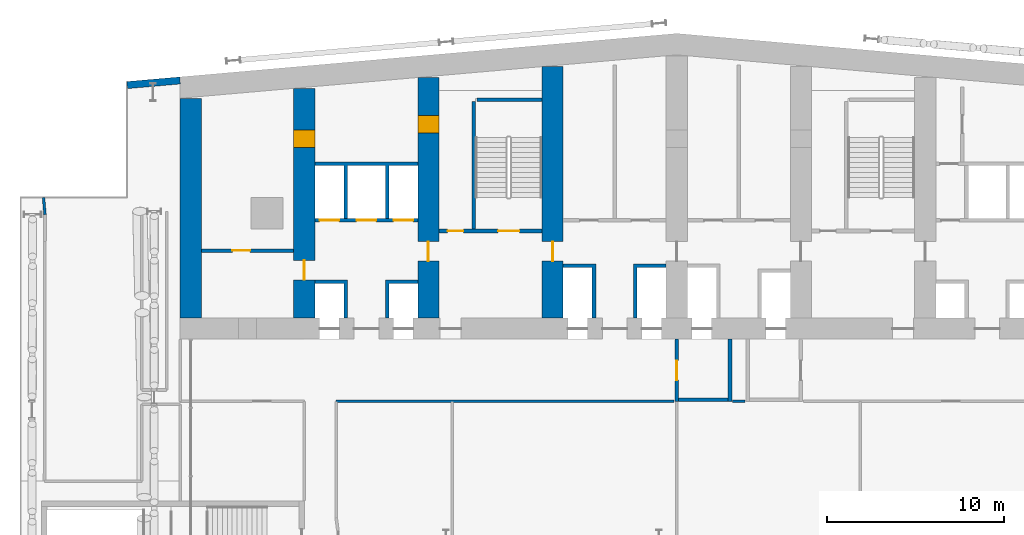
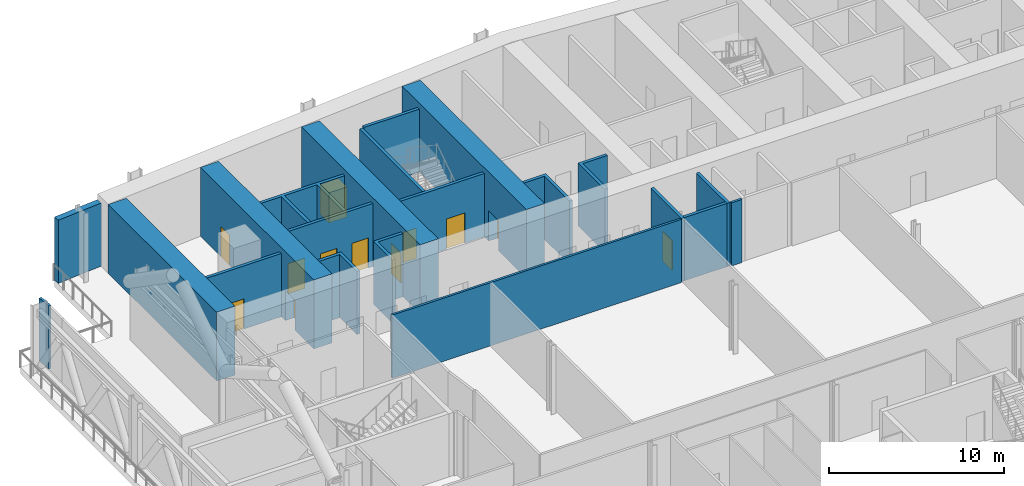
# One storey, part 19 of 39: 21 walls, 12 doors, 12 openings.
"""IFC4 building model written with IfcOpenShell, lengths in metres."""

import ifcopenshell
import ifcopenshell.guid

model = None  # the IFC model being written
_history = None  # IfcOwnerHistory: only IFC2X3 demands one
_inside = {}  # id of a spatial element -> (the spatial element, [elements in it])
_under = {}  # id of a project, library or spatial element -> (it, [spatial elements below it])
_declared = {}  # id of a project -> (the project, [libraries it declares])
_typed = {}  # id of a type object -> (the type object, [elements of that type])
_made_of = {}  # id of a material, layer set ... -> (it, [elements and type objects made of it])


def new_model(schema):
    """Start an empty IFC model of exactly this schema.

    Asked for "IFC4X3", IfcOpenShell would pick the latest addendum, in which some entities
    have other attributes; the version numbers below select the first issue.
    IFC2X3 requires an IfcOwnerHistory on every rooted entity: one is made here for all.
    """
    global model, _history
    if schema == "IFC4X3":
        model = ifcopenshell.file(schema_version=(4, 3, 0, 0))
    else:
        model = ifcopenshell.file(schema=schema)
    _inside.clear()
    _under.clear()
    _declared.clear()
    _typed.clear()
    _made_of.clear()
    _history = None
    if model.schema == "IFC2X3":
        org = make("IfcOrganization", Name="unknown")
        user = make(
            "IfcPersonAndOrganization",
            ThePerson=make("IfcPerson", FamilyName="unknown"),
            TheOrganization=org,
        )
        app = make(
            "IfcApplication",
            ApplicationDeveloper=org,
            Version="unknown",
            ApplicationFullName="unknown",
            ApplicationIdentifier="unknown",
        )
        _history = make(
            "IfcOwnerHistory",
            OwningUser=user,
            OwningApplication=app,
            ChangeAction="ADDED",
            CreationDate=0,
        )
    return model


def make(cls, **values):
    """One entity of the class cls with the attributes given. An attribute that is None is left unset."""
    return model.create_entity(
        cls, **{name: value for name, value in values.items() if value is not None}
    )


def rooted(cls, **values):
    """An entity with a GlobalId (a new one), such as an element, a storey or a relation."""
    return make(cls, GlobalId=ifcopenshell.guid.new(), OwnerHistory=_history, **values)


def si_unit(unit_type, name, prefix=None):
    """IfcSIUnit, for example si_unit("LENGTHUNIT", "METRE", prefix="MILLI")."""
    return make("IfcSIUnit", UnitType=unit_type, Prefix=prefix, Name=name)


def assignment(units):
    """IfcUnitAssignment: the units of a project."""
    return None if units is None else make("IfcUnitAssignment", Units=units)


def point(xyz):
    """IfcCartesianPoint."""
    return None if xyz is None else make("IfcCartesianPoint", Coordinates=xyz)


def direction(xyz):
    """IfcDirection."""
    return None if xyz is None else make("IfcDirection", DirectionRatios=xyz)


def frame(location, z_axis=None, x_axis=None):
    """IfcAxis2Placement3D, a coordinate frame: its origin and axes. An axis left out is left unset."""
    return make(
        "IfcAxis2Placement3D",
        Location=point(location),
        Axis=direction(z_axis),
        RefDirection=direction(x_axis),
    )


def frame_2d(location, x_axis=None):
    """IfcAxis2Placement2D, a coordinate frame in the plane: its origin and x axis."""
    return make(
        "IfcAxis2Placement2D", Location=point(location), RefDirection=direction(x_axis)
    )


def origin():
    """The frame at (0, 0, 0) with its axes left unset."""
    return frame((0.0, 0.0, 0.0))


def place(relative_to, where):
    """IfcLocalPlacement: puts the frame where relative to a parent placement (None: the world)."""
    return make(
        "IfcLocalPlacement", PlacementRelTo=relative_to, RelativePlacement=where
    )


def context(
    kind, dimensions, precision=None, world=None, true_north=None, identifier=None
):
    """IfcGeometricRepresentationContext, for example the 3D "Model" context."""
    return make(
        "IfcGeometricRepresentationContext",
        ContextIdentifier=identifier,
        ContextType=kind,
        CoordinateSpaceDimension=dimensions,
        Precision=precision,
        WorldCoordinateSystem=world,
        TrueNorth=true_north,
    )


def subcontext(parent, identifier, kind, view, scale=None):
    """IfcGeometricRepresentationSubContext, for example "Body" below "Model"."""
    return make(
        "IfcGeometricRepresentationSubContext",
        ContextIdentifier=identifier,
        ContextType=kind,
        ParentContext=parent,
        TargetScale=scale,
        TargetView=view,
    )


def project(units=None, contexts=None):
    """IfcProject with its units and contexts."""
    return rooted(
        "IfcProject",
        Name="project",
        RepresentationContexts=contexts,
        UnitsInContext=assignment(units),
    )


def spatial(cls, under=None, at=None, **own):
    """A site, building, storey or space (cls), placed at a placement, below another one or the project."""
    s = rooted(cls, ObjectPlacement=at, **own)
    if under is not None:
        _under.setdefault(under.id(), (under, []))[1].append(s)
    return s


def polyline(points):
    """IfcPolyline through the points."""
    return make("IfcPolyline", Points=[point(p) for p in points])


def profile(cls, at=None, kind="AREA", **sizes):
    """A parametric profile (cls). Its sizes go by their IFC names, for example OverallWidth=200.0."""
    return make(cls, ProfileType=kind, Position=at, **sizes)


def rectangle(**sizes):
    """IfcRectangleProfileDef."""
    return profile("IfcRectangleProfileDef", **sizes)


def outline(outer, holes=None, kind="AREA"):
    """IfcArbitraryClosedProfileDef: a profile drawn as a closed curve; with holes, ...WithVoids."""
    if holes is None:
        return make("IfcArbitraryClosedProfileDef", ProfileType=kind, OuterCurve=outer)
    return make(
        "IfcArbitraryProfileDefWithVoids",
        ProfileType=kind,
        OuterCurve=outer,
        InnerCurves=holes,
    )


def extrude(swept, where, along, depth):
    """IfcExtrudedAreaSolid: the profile swept, set in the frame where, extruded along a direction by depth."""
    return make(
        "IfcExtrudedAreaSolid",
        SweptArea=swept,
        Position=where,
        ExtrudedDirection=direction(along),
        Depth=depth,
    )


def shape(context_of_items, identifier, shape_type, items):
    """IfcShapeRepresentation: the items that make up one representation, for example the "Body"."""
    return make(
        "IfcShapeRepresentation",
        ContextOfItems=context_of_items,
        RepresentationIdentifier=identifier,
        RepresentationType=shape_type,
        Items=items,
    )


def material(Name=None, Category=None):
    """IfcMaterial."""
    return make("IfcMaterial", Name=Name, Category=Category)


def layer(
    of_material, thickness, ventilated=None, Name=None, Category=None, Priority=None
):
    """IfcMaterialLayer: one layer of a wall or slab, of a material (None: an air gap)."""
    return make(
        "IfcMaterialLayer",
        Material=of_material,
        LayerThickness=thickness,
        IsVentilated=ventilated,
        Name=Name,
        Category=Category,
        Priority=Priority,
    )


def layer_set(layers, Name=None):
    """IfcMaterialLayerSet."""
    return make("IfcMaterialLayerSet", MaterialLayers=layers, LayerSetName=Name)


def made_of(thing, what):
    """Note that an element or type object is made of a material, layer set ...; save() writes the relation."""
    if what is not None:
        _made_of.setdefault(what.id(), (what, []))[1].append(thing)
    return thing


def type_object(cls, material=None, **own):
    """A type object (cls), such as IfcWallType, which elements share."""
    return made_of(rooted(cls, **own), material)


def element(
    cls,
    number,
    at=None,
    inside=None,
    cuts=None,
    type_object=None,
    material=None,
    context=None,
    identifier="Body",
    shape_type=None,
    held_by="IfcProductDefinitionShape",
    body=None,
    shapes=None,
    **own,
):
    """One element of the class cls, such as IfcWall. Its Tag is "e" and its number.

    at: its placement. inside: the storey or other place that contains it. cuts: it is an
    opening in that element (IfcRelVoidsElement). A single representation is given by context,
    identifier, shape_type and body (its items); several are given by shapes. held_by: the class
    of the entity that holds the representations. save() writes the other relations.
    """
    e = rooted(cls, Tag="e%d" % number, ObjectPlacement=at, **own)
    if body is not None:
        shapes = [shape(context, identifier, shape_type, body)]
    if shapes is not None:
        e.Representation = make(held_by, Representations=shapes)
    if inside is not None:
        _inside.setdefault(inside.id(), (inside, []))[1].append(e)
    if cuts is not None:
        rooted(
            "IfcRelVoidsElement", RelatingBuildingElement=cuts, RelatedOpeningElement=e
        )
    if type_object is not None:
        _typed.setdefault(type_object.id(), (type_object, []))[1].append(e)
    return made_of(e, material)


def fill(opening, filler):
    """IfcRelFillsElement: the door or window that sits in an opening."""
    return rooted(
        "IfcRelFillsElement",
        RelatingOpeningElement=opening,
        RelatedBuildingElement=filler,
    )


def aggregate(whole, parts):
    """IfcRelAggregates: a whole, such as a stair, and the parts it consists of."""
    return rooted("IfcRelAggregates", RelatingObject=whole, RelatedObjects=parts)


def save(model, path):
    """Write the relations noted so far, then the file.

    IfcRelAggregates (storeys below a building ...), IfcRelContainedInSpatialStructure (elements
    in a storey), IfcRelDefinesByType, IfcRelAssociatesMaterial and IfcRelDeclares: one each for
    every whole, place, type object, material and project.
    """
    for whole, parts in _under.values():
        aggregate(whole, parts)
    for where, things in _inside.values():
        rooted(
            "IfcRelContainedInSpatialStructure",
            RelatedElements=things,
            RelatingStructure=where,
        )
    for kind, things in _typed.values():
        rooted("IfcRelDefinesByType", RelatedObjects=things, RelatingType=kind)
    for what, things in _made_of.values():
        rooted("IfcRelAssociatesMaterial", RelatedObjects=things, RelatingMaterial=what)
    for by, libraries in _declared.values():
        rooted("IfcRelDeclares", RelatingContext=by, RelatedDefinitions=libraries)
    model.write(path)


model = new_model("IFC4")

# Units and contexts
model_context = context("Model", 3, precision=1e-05, world=origin(), true_north=direction((0.0, 1.0)))
body_context = subcontext(model_context, "Body", "Model", "MODEL_VIEW")
ifc_project = project(units=[si_unit("LENGTHUNIT", "METRE"), si_unit("AREAUNIT", "SQUARE_METRE"), si_unit("VOLUMEUNIT", "CUBIC_METRE"), si_unit("PLANEANGLEUNIT", "RADIAN"), si_unit("MASSUNIT", "GRAM", prefix="KILO")], contexts=[model_context])

# Site, building, storey
site_placement = place(None, origin())
site = spatial("IfcSite", under=ifc_project, at=site_placement, CompositionType="ELEMENT")
building_placement = place(site_placement, origin())
building = spatial("IfcBuilding", under=site, at=building_placement, Name="Wharfspan Tower", CompositionType="ELEMENT")
storey_placement = place(building_placement, frame((0.0, 0.0, 91.899902)))
storey = spatial("IfcBuildingStorey", under=building, at=storey_placement, Name="L20", CompositionType="ELEMENT", Elevation=91.899902)

# Wall, opening, door
ifc_material_1 = material(Name="Calcium silicate masonry", Category="masonry")
ifc_layer_1 = layer(ifc_material_1, 0.199951)
ifc_layer_set_1 = layer_set([ifc_layer_1], Name="Calcium silicate masonry")
wall_type_1 = type_object("IfcWallType", Name="Core room wall 200", PredefinedType="PARTITIONING", material=ifc_layer_set_1)
wall_1_placement = place(storey_placement, frame((10.199951, 39.0, 0.0), z_axis=(0.0, 0.0, 1.0), x_axis=(1.0, 0.0, 0.0)))
wall_1 = element("IfcWall", 1, at=wall_1_placement, inside=storey, type_object=wall_type_1, Name="sw:L20:RM0", PredefinedType="PARTITIONING", context=body_context, shape_type="SweptSolid", body=[
    extrude(rectangle(XDim=5.199951, YDim=0.199951, at=frame_2d((2.600098, 0.0))), origin(), (0.0, 0.0, 1.0), 4.400146),
])
opening_1_placement = place(wall_1_placement, frame((1.75, 0.0, 0.0)))
opening_1 = element("IfcOpeningElement", 2, at=opening_1_placement, cuts=wall_1, Name="Opening CD20.02", PredefinedType="OPENING", context=body_context, shape_type="SweptSolid", body=[
    extrude(rectangle(XDim=1.0, YDim=2.100098, at=frame_2d((0.5, 1.050049))), frame((0.0, 0.109863, 0.0), z_axis=(0.0, -1.0, 0.0), x_axis=(1.0, 0.0, 0.0)), (0.0, 0.0, 1.0), 0.219971),
])
ifc_material_2 = material(Name="Steel door leaf", Category="steel")
door_type_1 = type_object("IfcDoorType", Name="Core room door 1000x2100", OperationType="SINGLE_SWING_LEFT", PredefinedType="DOOR", material=ifc_material_2)
door_1_placement = place(opening_1_placement, origin())
door_1 = element("IfcDoor", 3, at=door_1_placement, inside=storey, type_object=door_type_1, Name="d:L20:0:rr", OperationType="SINGLE_SWING_RIGHT", OverallHeight=2.100098, OverallWidth=1.0, PredefinedType="DOOR", context=body_context, shape_type="SweptSolid", body=[
    extrude(rectangle(XDim=1.0, YDim=2.100098, at=frame_2d((0.5, 1.050049))), frame((0.0, 0.024902, 0.0), z_axis=(0.0, -1.0, 0.0), x_axis=(1.0, 0.0, 0.0)), (0.0, 0.0, 1.0), 0.050049),
])
fill(opening_1, door_1)

# Wall
ifc_material_3 = material(Name="Concrete C70/85", Category="concrete")
ifc_layer_2 = layer(ifc_material_3, 1.199951)
ifc_layer_set_2 = layer_set([ifc_layer_2], Name="Concrete C70/85")
wall_type_2 = type_object("IfcWallType", Name="Core wall 1200 C70/85", PredefinedType="SHEAR", material=ifc_layer_set_2)
wall_2_placement = place(storey_placement, frame((9.600098, 35.199951, 0.0), z_axis=(0.0, 0.0, 1.0), x_axis=(0.0, 1.0, 0.0)))
element("IfcWall", 4, at=wall_2_placement, inside=storey, type_object=wall_type_2, Name="Core cross wall EW0 L20", PredefinedType="SHEAR", context=body_context, shape_type="SweptSolid", body=[
    extrude(rectangle(XDim=12.382812, YDim=1.199951, at=frame_2d((6.191406, 0.0))), origin(), (0.0, 0.0, 1.0), 4.800049),
])

# Wall, openings, doors
wall_3_placement = place(storey_placement, frame((16.0, 35.199951, 0.0), z_axis=(0.0, 0.0, 1.0), x_axis=(0.0, 1.0, 0.0)))
wall_3 = element("IfcWall", 5, at=wall_3_placement, inside=storey, type_object=wall_type_2, Name="Core cross wall X1 L20", PredefinedType="SHEAR", context=body_context, shape_type="SweptSolid", body=[
    extrude(rectangle(XDim=12.942871, YDim=1.199951, at=frame_2d((6.471436, 0.0))), origin(), (0.0, 0.0, 1.0), 4.800049),
])
opening_2_placement = place(wall_3_placement, frame((2.149902, 0.0, 0.0)))
opening_2 = element("IfcOpeningElement", 6, at=opening_2_placement, cuts=wall_3, Name="Opening CC20.1", PredefinedType="OPENING", context=body_context, shape_type="SweptSolid", body=[
    extrude(rectangle(XDim=1.100098, YDim=2.100098, at=frame_2d((0.550049, 1.050049))), frame((0.0, 0.609863, 0.0), z_axis=(0.0, -1.0, 0.0), x_axis=(1.0, 0.0, 0.0)), (0.0, 0.0, 1.0), 1.219971),
])
opening_3_placement = place(wall_3_placement, frame((9.600098, 0.0, 0.0)))
opening_3 = element("IfcOpeningElement", 7, at=opening_3_placement, cuts=wall_3, Name="Opening CR20.1", PredefinedType="OPENING", context=body_context, shape_type="SweptSolid", body=[
    extrude(rectangle(XDim=1.0, YDim=2.100098, at=frame_2d((0.5, 1.050049))), frame((0.0, 0.609863, 0.0), z_axis=(0.0, -1.0, 0.0), x_axis=(1.0, 0.0, 0.0)), (0.0, 0.0, 1.0), 1.219971),
])
door_type_2 = type_object("IfcDoorType", Name="Core corridor door 1100x2100", OperationType="SINGLE_SWING_LEFT", PredefinedType="DOOR", material=ifc_material_2)
door_2_placement = place(opening_2_placement, origin())
door_2 = element("IfcDoor", 8, at=door_2_placement, inside=storey, type_object=door_type_2, Name="xd:L20:1", OperationType="SINGLE_SWING_LEFT", OverallHeight=2.100098, OverallWidth=1.100098, PredefinedType="DOOR", context=body_context, shape_type="SweptSolid", body=[
    extrude(rectangle(XDim=1.100098, YDim=2.100098, at=frame_2d((0.550049, 1.050049))), frame((0.0, 0.024902, 0.0), z_axis=(0.0, -1.0, 0.0), x_axis=(1.0, 0.0, 0.0)), (0.0, 0.0, 1.0), 0.050049),
])
fill(opening_2, door_2)
door_3_placement = place(opening_3_placement, origin())
door_3 = element("IfcDoor", 9, at=door_3_placement, inside=storey, type_object=door_type_1, Name="xr:L20:1", OperationType="SINGLE_SWING_RIGHT", OverallHeight=2.100098, OverallWidth=1.0, PredefinedType="DOOR", context=body_context, shape_type="SweptSolid", body=[
    extrude(rectangle(XDim=1.0, YDim=2.100098, at=frame_2d((0.5, 1.050049))), frame((0.0, 0.599609, 0.0), z_axis=(0.0, -1.0, 0.0), x_axis=(1.0, 0.0, 0.0)), (0.0, 0.0, 1.0), 1.199463),
])
fill(opening_3, door_3)

wall_4_placement = place(storey_placement, frame((23.0, 35.199951, 0.0), z_axis=(0.0, 0.0, 1.0), x_axis=(0.0, 1.0, 0.0)))
wall_4 = element("IfcWall", 10, at=wall_4_placement, inside=storey, type_object=wall_type_2, Name="Core cross wall X2 L20", PredefinedType="SHEAR", context=body_context, shape_type="SweptSolid", body=[
    extrude(rectangle(XDim=13.555176, YDim=1.199951, at=frame_2d((6.777588, 0.0))), origin(), (0.0, 0.0, 1.0), 4.800049),
])
opening_4_placement = place(wall_4_placement, frame((10.413818, 0.0, 0.0)))
opening_4 = element("IfcOpeningElement", 11, at=opening_4_placement, cuts=wall_4, Name="Opening CD20.1X", PredefinedType="OPENING", context=body_context, shape_type="SweptSolid", body=[
    extrude(rectangle(XDim=1.0, YDim=2.100098, at=frame_2d((0.5, 1.050049))), frame((0.0, 0.609863, 0.0), z_axis=(0.0, -1.0, 0.0), x_axis=(1.0, 0.0, 0.0)), (0.0, 0.0, 1.0), 1.219971),
])
opening_5_placement = place(wall_4_placement, frame((3.199951, 0.0, 0.0)))
opening_5 = element("IfcOpeningElement", 12, at=opening_5_placement, cuts=wall_4, Name="Opening CC20.2", PredefinedType="OPENING", context=body_context, shape_type="SweptSolid", body=[
    extrude(rectangle(XDim=1.100098, YDim=2.100098, at=frame_2d((0.550049, 1.050049))), frame((0.0, 0.609863, 0.0), z_axis=(0.0, -1.0, 0.0), x_axis=(1.0, 0.0, 0.0)), (0.0, 0.0, 1.0), 1.219971),
])
door_4_placement = place(opening_5_placement, origin())
door_4 = element("IfcDoor", 13, at=door_4_placement, inside=storey, type_object=door_type_2, Name="xd:L20:2", OperationType="SINGLE_SWING_RIGHT", OverallHeight=2.100098, OverallWidth=1.100098, PredefinedType="DOOR", context=body_context, shape_type="SweptSolid", body=[
    extrude(rectangle(XDim=1.100098, YDim=2.100098, at=frame_2d((0.550049, 1.050049))), frame((0.0, 0.024902, 0.0), z_axis=(0.0, -1.0, 0.0), x_axis=(1.0, 0.0, 0.0)), (0.0, 0.0, 1.0), 0.050049),
])
fill(opening_5, door_4)
door_5_placement = place(opening_4_placement, origin())
door_5 = element("IfcDoor", 14, at=door_5_placement, inside=storey, type_object=door_type_1, Name="d:L20:1:sx", OperationType="SINGLE_SWING_LEFT", OverallHeight=2.100098, OverallWidth=1.0, PredefinedType="DOOR", context=body_context, shape_type="SweptSolid", body=[
    extrude(rectangle(XDim=1.0, YDim=2.100098, at=frame_2d((0.5, 1.050049))), frame((0.0, 0.599609, 0.0), z_axis=(0.0, -1.0, 0.0), x_axis=(1.0, 0.0, 0.0)), (0.0, 0.0, 1.0), 1.199463),
])
fill(opening_4, door_5)

# Wall, opening, door
wall_5_placement = place(storey_placement, frame((30.0, 35.199951, 0.0), z_axis=(0.0, 0.0, 1.0), x_axis=(0.0, 1.0, 0.0)))
wall_5 = element("IfcWall", 15, at=wall_5_placement, inside=storey, type_object=wall_type_2, Name="Core cross wall X3 L20", PredefinedType="SHEAR", context=body_context, shape_type="SweptSolid", body=[
    extrude(rectangle(XDim=14.167725, YDim=1.199951, at=frame_2d((7.083984, 0.0))), origin(), (0.0, 0.0, 1.0), 4.800049),
])
opening_6_placement = place(wall_5_placement, frame((3.199951, 0.0, 0.0)))
opening_6 = element("IfcOpeningElement", 16, at=opening_6_placement, cuts=wall_5, Name="Opening CC20.3", PredefinedType="OPENING", context=body_context, shape_type="SweptSolid", body=[
    extrude(rectangle(XDim=1.100098, YDim=2.100098, at=frame_2d((0.550049, 1.050049))), frame((0.0, 0.609863, 0.0), z_axis=(0.0, -1.0, 0.0), x_axis=(1.0, 0.0, 0.0)), (0.0, 0.0, 1.0), 1.219971),
])
door_6_placement = place(opening_6_placement, origin())
door_6 = element("IfcDoor", 17, at=door_6_placement, inside=storey, type_object=door_type_2, Name="xd:L20:3", OperationType="SINGLE_SWING_LEFT", OverallHeight=2.100098, OverallWidth=1.100098, PredefinedType="DOOR", context=body_context, shape_type="SweptSolid", body=[
    extrude(rectangle(XDim=1.100098, YDim=2.100098, at=frame_2d((0.550049, 1.050049))), frame((0.0, 0.024902, 0.0), z_axis=(0.0, -1.0, 0.0), x_axis=(1.0, 0.0, 0.0)), (0.0, 0.0, 1.0), 0.050049),
])
fill(opening_6, door_6)

# Wall, openings, doors
ifc_material_4 = material(Name="Concrete C30/37", Category="concrete")
ifc_layer_3 = layer(ifc_material_4, 0.199951)
ifc_layer_set_3 = layer_set([ifc_layer_3], Name="Concrete C30/37")
wall_type_3 = type_object("IfcWallType", Name="Lift shaft wall 200", PredefinedType="PARTITIONING", material=ifc_layer_set_3)
wall_6_placement = place(storey_placement, frame((16.600098, 40.699951, 0.0), z_axis=(0.0, 0.0, 1.0), x_axis=(1.0, 0.0, 0.0)))
wall_6 = element("IfcWall", 18, at=wall_6_placement, inside=storey, type_object=wall_type_3, Name="sw:L20:RF1", PredefinedType="PARTITIONING", context=body_context, shape_type="SweptSolid", body=[
    extrude(rectangle(XDim=5.799805, YDim=0.199951, at=frame_2d((2.899902, 0.0))), origin(), (0.0, 0.0, 1.0), 4.400146),
])
opening_7_placement = place(wall_6_placement, frame((0.266602, 0.0, 0.0)))
opening_7 = element("IfcOpeningElement", 19, at=opening_7_placement, cuts=wall_6, Name="Opening LD.LA3.L20", PredefinedType="OPENING", context=body_context, shape_type="SweptSolid", body=[
    extrude(rectangle(XDim=1.100098, YDim=2.100098, at=frame_2d((0.550049, 1.050049))), frame((0.0, 0.109863, 0.0), z_axis=(0.0, -1.0, 0.0), x_axis=(1.0, 0.0, 0.0)), (0.0, 0.0, 1.0), 0.219971),
])
opening_8_placement = place(wall_6_placement, frame((2.350098, 0.0, 0.0)))
opening_8 = element("IfcOpeningElement", 20, at=opening_8_placement, cuts=wall_6, Name="Opening LD.LA4.L20", PredefinedType="OPENING", context=body_context, shape_type="SweptSolid", body=[
    extrude(rectangle(XDim=1.100098, YDim=2.100098, at=frame_2d((0.550049, 1.050049))), frame((0.0, 0.109863, 0.0), z_axis=(0.0, -1.0, 0.0), x_axis=(1.0, 0.0, 0.0)), (0.0, 0.0, 1.0), 0.219971),
])
opening_9_placement = place(wall_6_placement, frame((4.43335, 0.0, 0.0)))
opening_9 = element("IfcOpeningElement", 21, at=opening_9_placement, cuts=wall_6, Name="Opening LD.LA5.L20", PredefinedType="OPENING", context=body_context, shape_type="SweptSolid", body=[
    extrude(rectangle(XDim=1.100098, YDim=2.100098, at=frame_2d((0.550049, 1.050049))), frame((0.0, 0.109863, 0.0), z_axis=(0.0, -1.0, 0.0), x_axis=(1.0, 0.0, 0.0)), (0.0, 0.0, 1.0), 0.219971),
])
ifc_material_5 = material(Name="Stainless steel", Category="steel")
door_type_3 = type_object("IfcDoorType", Name="Lift landing door 1100x2100", OperationType="DOUBLE_DOOR_SLIDING", PredefinedType="DOOR", material=ifc_material_5)
door_7_placement = place(opening_7_placement, origin())
door_7 = element("IfcDoor", 22, at=door_7_placement, inside=storey, type_object=door_type_3, Name="Landing door LA3 L20", OperationType="DOUBLE_DOOR_SLIDING", OverallHeight=2.100098, OverallWidth=1.100098, PredefinedType="DOOR", context=body_context, shape_type="SweptSolid", body=[
    extrude(rectangle(XDim=1.100098, YDim=2.100098, at=frame_2d((0.550049, 1.050049))), frame((0.0, 0.024902, 0.0), z_axis=(0.0, -1.0, 0.0), x_axis=(1.0, 0.0, 0.0)), (0.0, 0.0, 1.0), 0.050049),
])
fill(opening_7, door_7)
door_8_placement = place(opening_8_placement, origin())
door_8 = element("IfcDoor", 23, at=door_8_placement, inside=storey, type_object=door_type_3, Name="Landing door LA4 L20", OperationType="DOUBLE_DOOR_SLIDING", OverallHeight=2.100098, OverallWidth=1.100098, PredefinedType="DOOR", context=body_context, shape_type="SweptSolid", body=[
    extrude(rectangle(XDim=1.100098, YDim=2.100098, at=frame_2d((0.550049, 1.050049))), frame((0.0, 0.024902, 0.0), z_axis=(0.0, -1.0, 0.0), x_axis=(1.0, 0.0, 0.0)), (0.0, 0.0, 1.0), 0.050049),
])
fill(opening_8, door_8)
door_9_placement = place(opening_9_placement, origin())
door_9 = element("IfcDoor", 24, at=door_9_placement, inside=storey, type_object=door_type_3, Name="Landing door LA5 L20", OperationType="DOUBLE_DOOR_SLIDING", OverallHeight=2.100098, OverallWidth=1.100098, PredefinedType="DOOR", context=body_context, shape_type="SweptSolid", body=[
    extrude(rectangle(XDim=1.100098, YDim=2.100098, at=frame_2d((0.550049, 1.050049))), frame((0.0, 0.024902, 0.0), z_axis=(0.0, -1.0, 0.0), x_axis=(1.0, 0.0, 0.0)), (0.0, 0.0, 1.0), 0.050049),
])
fill(opening_9, door_9)

# Walls
wall_7_placement = place(storey_placement, origin())
element("IfcWall", 25, at=wall_7_placement, inside=storey, type_object=wall_type_3, Name="sw:L20:FM1.0", PredefinedType="PARTITIONING", context=body_context, shape_type="SweptSolid", body=[
    extrude(outline(polyline([(18.233398, 37.149902), (16.600098, 37.149902), (16.600098, 37.350098), (18.233398, 37.350098), (18.43335, 37.350098), (18.43335, 35.199951), (18.233398, 35.199951), (18.233398, 37.149902)])), origin(), (0.0, 0.0, 1.0), 4.400146),
])
wall_8_placement = place(storey_placement, origin())
element("IfcWall", 26, at=wall_8_placement, inside=storey, type_object=wall_type_3, Name="sw:L20:FM1.1", PredefinedType="PARTITIONING", context=body_context, shape_type="SweptSolid", body=[
    extrude(outline(polyline([(20.56665, 37.350098), (20.766602, 37.350098), (22.399902, 37.350098), (22.399902, 37.149902), (20.766602, 37.149902), (20.766602, 35.199951), (20.56665, 35.199951), (20.56665, 37.350098)])), origin(), (0.0, 0.0, 1.0), 4.400146),
])
wall_9_placement = place(storey_placement, origin())
element("IfcWall", 27, at=wall_9_placement, inside=storey, type_object=wall_type_3, Name="sw:L20:RM1.0", PredefinedType="PARTITIONING", context=body_context, shape_type="SweptSolid", body=[
    extrude(outline(polyline([(18.43335, 40.800049), (18.233398, 40.800049), (18.233398, 43.800049), (16.600098, 43.800049), (16.600098, 44.0), (22.399902, 44.0), (22.399902, 43.800049), (20.766602, 43.800049), (20.766602, 40.800049), (20.56665, 40.800049), (20.56665, 43.800049), (18.43335, 43.800049), (18.43335, 40.800049)])), origin(), (0.0, 0.0, 1.0), 4.400146),
])
wall_10_placement = place(storey_placement, origin())
element("IfcWall", 28, at=wall_10_placement, inside=storey, type_object=wall_type_3, Name="sw:L20:FM3.0", PredefinedType="PARTITIONING", context=body_context, shape_type="SweptSolid", body=[
    extrude(outline(polyline([(32.233398, 38.050049), (30.600098, 38.050049), (30.600098, 38.25), (32.233398, 38.25), (32.43335, 38.25), (32.43335, 35.199951), (32.233398, 35.199951), (32.233398, 38.050049)])), origin(), (0.0, 0.0, 1.0), 4.400146),
])
wall_11_placement = place(storey_placement, origin())
element("IfcWall", 29, at=wall_11_placement, inside=storey, type_object=wall_type_3, Name="sw:L20:FM3.1", PredefinedType="PARTITIONING", context=body_context, shape_type="SweptSolid", body=[
    extrude(outline(polyline([(34.56665, 38.25), (34.766602, 38.25), (36.399902, 38.25), (36.399902, 38.050049), (34.766602, 38.050049), (34.766602, 35.199951), (34.56665, 35.199951), (34.56665, 38.25)])), origin(), (0.0, 0.0, 1.0), 4.400146),
])

# Wall, opening, door
ifc_layer_4 = layer(ifc_material_4, 0.199951)
ifc_layer_set_4 = layer_set([ifc_layer_4], Name="Concrete C30/37")
wall_type_4 = type_object("IfcWallType", Name="Lobby wall 200", PredefinedType="PARTITIONING", material=ifc_layer_set_4)
wall_12_placement = place(storey_placement, frame((37.0, 30.5, 0.0), z_axis=(0.0, 0.0, 1.0), x_axis=(0.0, 1.0, 0.0)))
wall_12 = element("IfcWall", 30, at=wall_12_placement, inside=storey, type_object=wall_type_4, Name="sw:L20:FLFF1W", PredefinedType="PARTITIONING", context=body_context, shape_type="SweptSolid", body=[
    extrude(rectangle(XDim=3.5, YDim=0.199951, at=frame_2d((1.75, 0.0))), origin(), (0.0, 0.0, 1.0), 4.400146),
])
opening_10_placement = place(wall_12_placement, frame((1.199951, 0.0, 0.0)))
opening_10 = element("IfcOpeningElement", 31, at=opening_10_placement, cuts=wall_12, Name="Opening FL.FF1.L20", PredefinedType="OPENING", context=body_context, shape_type="SweptSolid", body=[
    extrude(rectangle(XDim=1.100098, YDim=2.100098, at=frame_2d((0.550049, 1.050049))), frame((0.0, 0.109863, 0.0), z_axis=(0.0, -1.0, 0.0), x_axis=(1.0, 0.0, 0.0)), (0.0, 0.0, 1.0), 0.219971),
])
door_type_4 = type_object("IfcDoorType", Name="Firefighting lobby door 1100x2100", OperationType="SINGLE_SWING_LEFT", PredefinedType="DOOR", material=ifc_material_2)
door_10_placement = place(opening_10_placement, origin())
door_10 = element("IfcDoor", 32, at=door_10_placement, inside=storey, type_object=door_type_4, Name="fd:L20:FF1", OperationType="SINGLE_SWING_LEFT", OverallHeight=2.100098, OverallWidth=1.100098, PredefinedType="DOOR", context=body_context, shape_type="SweptSolid", body=[
    extrude(rectangle(XDim=1.100098, YDim=2.100098, at=frame_2d((0.550049, 1.050049))), frame((0.0, 0.024902, 0.0), z_axis=(0.0, -1.0, 0.0), x_axis=(1.0, 0.0, 0.0)), (0.0, 0.0, 1.0), 0.050049),
])
fill(opening_10, door_10)

# Walls
wall_13_placement = place(storey_placement, frame((40.0, 30.5, 0.0), z_axis=(0.0, 0.0, 1.0), x_axis=(0.0, 1.0, 0.0)))
element("IfcWall", 33, at=wall_13_placement, inside=storey, type_object=wall_type_4, Name="sw:L20:FLFF1E", PredefinedType="PARTITIONING", context=body_context, shape_type="SweptSolid", body=[
    extrude(rectangle(XDim=3.5, YDim=0.199951, at=frame_2d((1.75, 0.0))), origin(), (0.0, 0.0, 1.0), 4.400146),
])
wall_14_placement = place(storey_placement, frame((37.100098, 30.600098, 0.0), z_axis=(0.0, 0.0, 1.0), x_axis=(1.0, 0.0, 0.0)))
element("IfcWall", 34, at=wall_14_placement, inside=storey, type_object=wall_type_4, Name="sw:L20:FLFF1F", PredefinedType="PARTITIONING", context=body_context, shape_type="SweptSolid", body=[
    extrude(rectangle(XDim=2.799805, YDim=0.199951, at=frame_2d((1.399902, 0.0))), origin(), (0.0, 0.0, 1.0), 4.400146),
])
ifc_material_6 = material(Name="Gypsum board on steel studs", Category="steel")
ifc_layer_5 = layer(ifc_material_6, 0.149902)
ifc_layer_set_5 = layer_set([ifc_layer_5], Name="Gypsum board on steel studs")
wall_type_5 = type_object("IfcWallType", Name="Plant room wall 150 EI 120", PredefinedType="PARTITIONING", material=ifc_layer_set_5)
wall_15_placement = place(storey_placement, frame((1.38501, 41.02002, 0.0), z_axis=(0.0, 0.0, 1.0), x_axis=(-0.0864, 0.99626, 0.0)))
element("IfcWall", 35, at=wall_15_placement, inside=storey, type_object=wall_type_5, Name="Partition L20.w008", PredefinedType="PARTITIONING", context=body_context, shape_type="SweptSolid", body=[
    extrude(rectangle(XDim=0.963623, YDim=0.149902, at=frame_2d((0.481934, 0.0))), origin(), (0.0, 0.0, 1.0), 4.400146),
])
wall_16_placement = place(storey_placement, frame((17.800049, 30.5, 0.0), z_axis=(0.0, 0.0, 1.0), x_axis=(1.0, 0.0, 0.0)))
element("IfcWall", 36, at=wall_16_placement, inside=storey, type_object=wall_type_5, Name="Partition L20.w029", PredefinedType="PARTITIONING", context=body_context, shape_type="SweptSolid", body=[
    extrude(rectangle(XDim=19.050049, YDim=0.149902, at=frame_2d((9.524902, 0.0))), origin(), (0.0, 0.0, 1.0), 4.400146),
])
wall_17_placement = place(storey_placement, frame((40.149902, 30.5, 0.0), z_axis=(0.0, 0.0, 1.0), x_axis=(1.0, 0.0, 0.0)))
element("IfcWall", 37, at=wall_17_placement, inside=storey, type_object=wall_type_5, Name="Partition L20.w029 (2)", PredefinedType="PARTITIONING", context=body_context, shape_type="SweptSolid", body=[
    extrude(rectangle(XDim=0.700195, YDim=0.149902, at=frame_2d((0.350098, 0.0))), origin(), (0.0, 0.0, 1.0), 4.400146),
])

# Wall, openings, doors
ifc_material_7 = material(Name="Concrete C40/50", Category="concrete")
ifc_layer_6 = layer(ifc_material_7, 0.199951)
ifc_layer_set_6 = layer_set([ifc_layer_6], Name="Concrete C40/50")
wall_type_6 = type_object("IfcWallType", Name="Stair shaft wall 200", PredefinedType="SHEAR", material=ifc_layer_set_6)
wall_18_placement = place(storey_placement, frame((23.600098, 40.100098, 0.0), z_axis=(0.0, 0.0, 1.0), x_axis=(1.0, 0.0, 0.0)))
wall_18 = element("IfcWall", 38, at=wall_18_placement, inside=storey, type_object=wall_type_6, Name="ST1 stair enclosure wall L20", PredefinedType="SHEAR", context=body_context, shape_type="SweptSolid", body=[
    extrude(rectangle(XDim=5.799805, YDim=0.199951, at=frame_2d((2.899902, 0.0))), origin(), (0.0, 0.0, 1.0), 4.400146),
])
opening_11_placement = place(wall_18_placement, frame((3.324951, 0.0, 0.0)))
opening_11 = element("IfcOpeningElement", 39, at=opening_11_placement, cuts=wall_18, Name="Opening SD2.L20", PredefinedType="OPENING", context=body_context, shape_type="SweptSolid", body=[
    extrude(rectangle(XDim=1.199951, YDim=2.100098, at=frame_2d((0.600098, 1.050049))), frame((0.0, 0.109863, 0.0), z_axis=(0.0, -1.0, 0.0), x_axis=(1.0, 0.0, 0.0)), (0.0, 0.0, 1.0), 0.219971),
])
opening_12_placement = place(wall_18_placement, frame((0.475098, 0.0, 0.0)))
opening_12 = element("IfcOpeningElement", 40, at=opening_12_placement, cuts=wall_18, Name="Opening CD20.2R", PredefinedType="OPENING", context=body_context, shape_type="SweptSolid", body=[
    extrude(rectangle(XDim=0.899902, YDim=2.100098, at=frame_2d((0.449951, 1.050049))), frame((0.0, 0.109863, 0.0), z_axis=(0.0, -1.0, 0.0), x_axis=(1.0, 0.0, 0.0)), (0.0, 0.0, 1.0), 0.219971),
])
door_11_placement = place(opening_12_placement, origin())
door_11 = element("IfcDoor", 41, at=door_11_placement, inside=storey, type_object=door_type_1, Name="rk:L20:2", OperationType="SINGLE_SWING_LEFT", OverallHeight=2.100098, OverallWidth=0.899902, PredefinedType="DOOR", context=body_context, shape_type="SweptSolid", body=[
    extrude(rectangle(XDim=0.899902, YDim=2.100098, at=frame_2d((0.449951, 1.050049))), frame((0.0, 0.024902, 0.0), z_axis=(0.0, -1.0, 0.0), x_axis=(1.0, 0.0, 0.0)), (0.0, 0.0, 1.0), 0.050049),
])
fill(opening_12, door_11)
door_type_5 = type_object("IfcDoorType", Name="Stair door 1200x2100", OperationType="SINGLE_SWING_LEFT", PredefinedType="DOOR", material=ifc_material_2)
door_12_placement = place(opening_11_placement, origin())
door_12 = element("IfcDoor", 42, at=door_12_placement, inside=storey, type_object=door_type_5, Name="sd:L20:2", OperationType="SINGLE_SWING_RIGHT", OverallHeight=2.100098, OverallWidth=1.199951, PredefinedType="DOOR", context=body_context, shape_type="SweptSolid", body=[
    extrude(rectangle(XDim=1.199951, YDim=2.100098, at=frame_2d((0.600098, 1.050049))), frame((0.0, 0.024902, 0.0), z_axis=(0.0, -1.0, 0.0), x_axis=(1.0, 0.0, 0.0)), (0.0, 0.0, 1.0), 0.050049),
])
fill(opening_11, door_12)

# Walls
wall_19_placement = place(storey_placement, frame((25.550049, 40.199951, 0.0), z_axis=(0.0, 0.0, 1.0), x_axis=(0.0, 1.0, 0.0)))
element("IfcWall", 43, at=wall_19_placement, inside=storey, type_object=wall_type_6, Name="ST1 stair enclosure wall L20", PredefinedType="SHEAR", context=body_context, shape_type="SweptSolid", body=[
    extrude(rectangle(XDim=7.199951, YDim=0.199951, at=frame_2d((3.600098, 0.0))), origin(), (0.0, 0.0, 1.0), 4.400146),
])
wall_20_placement = place(storey_placement, frame((25.75, 47.5, 0.0), z_axis=(0.0, 0.0, 1.0), x_axis=(1.0, 0.0, 0.0)))
element("IfcWall", 44, at=wall_20_placement, inside=storey, type_object=wall_type_6, Name="ST1 stair enclosure wall L20", PredefinedType="SHEAR", context=body_context, shape_type="SweptSolid", body=[
    extrude(rectangle(XDim=3.649902, YDim=0.199951, at=frame_2d((1.824951, 0.0))), origin(), (0.0, 0.0, 1.0), 4.400146),
])
ifc_layer_7 = layer(ifc_material_7, 0.399902)
ifc_layer_set_7 = layer_set([ifc_layer_7], Name="Concrete C40/50")
wall_type_7 = type_object("IfcWallType", Name="WALL EXPOSED CONCRETE 400", PredefinedType="SOLIDWALL", material=ifc_layer_set_7)
wall_21_placement = place(storey_placement, frame((9.0, 48.58667, 0.0), z_axis=(0.0, 0.0, 1.0), x_axis=(-0.996194, -0.087168, 0.0)))
element("IfcWall", 45, at=wall_21_placement, inside=storey, type_object=wall_type_7, Name="Rear wall N1", PredefinedType="SOLIDWALL", context=body_context, shape_type="SweptSolid", body=[
    extrude(rectangle(XDim=2.994141, YDim=0.399902, at=frame_2d((1.49707, 0.0))), origin(), (0.0, 0.0, 1.0), 4.400146),
])

save(model, "model.ifc")
